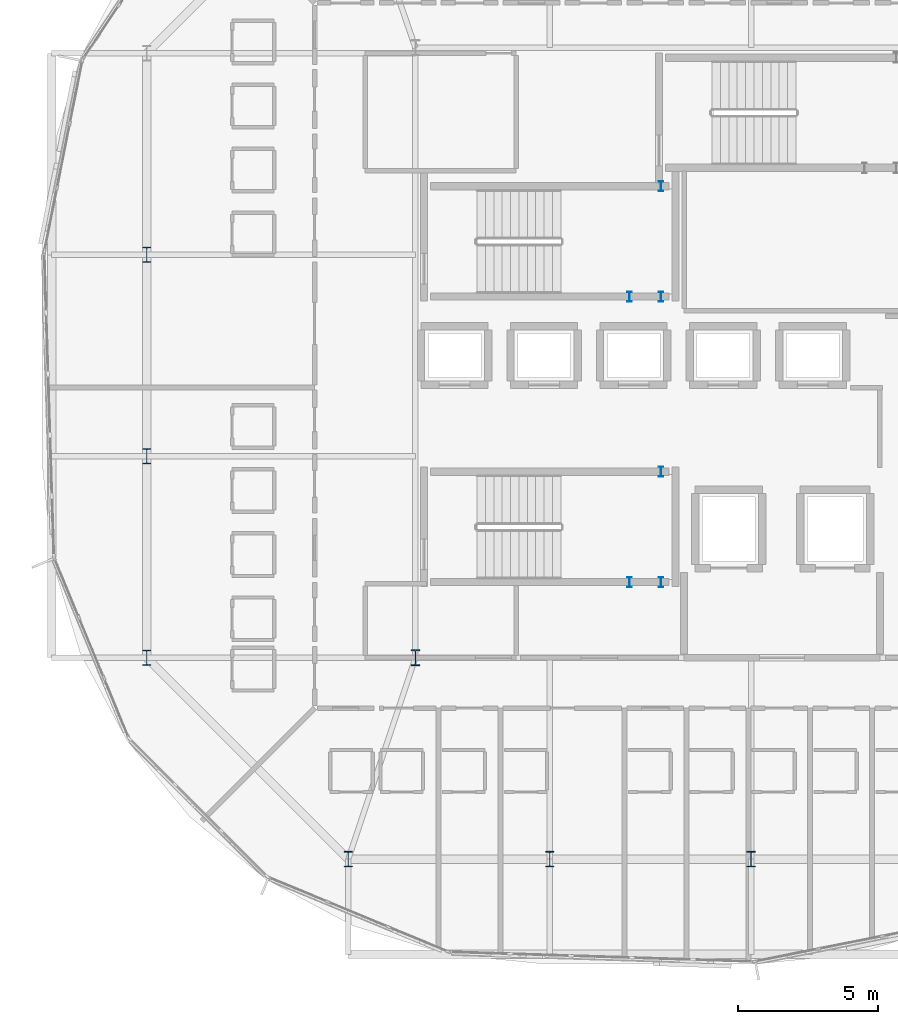
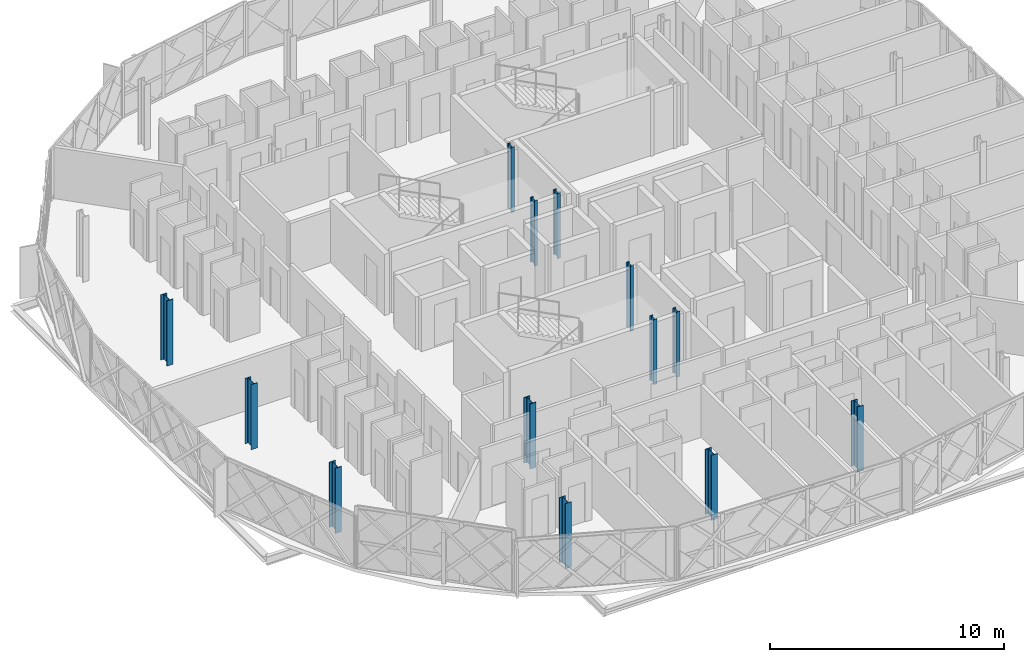
# One storey, part 1 of 50: 13 columns.
"""IFC4 building model written with IfcOpenShell, lengths in metres."""

import ifcopenshell
import ifcopenshell.guid

model = None  # the IFC model being written
_history = None  # IfcOwnerHistory: only IFC2X3 demands one
_inside = {}  # id of a spatial element -> (the spatial element, [elements in it])
_under = {}  # id of a project, library or spatial element -> (it, [spatial elements below it])
_declared = {}  # id of a project -> (the project, [libraries it declares])
_typed = {}  # id of a type object -> (the type object, [elements of that type])
_made_of = {}  # id of a material, layer set ... -> (it, [elements and type objects made of it])


def new_model(schema):
    """Start an empty IFC model of exactly this schema.

    Asked for "IFC4X3", IfcOpenShell would pick the latest addendum, in which some entities
    have other attributes; the version numbers below select the first issue.
    IFC2X3 requires an IfcOwnerHistory on every rooted entity: one is made here for all.
    """
    global model, _history
    if schema == "IFC4X3":
        model = ifcopenshell.file(schema_version=(4, 3, 0, 0))
    else:
        model = ifcopenshell.file(schema=schema)
    _inside.clear()
    _under.clear()
    _declared.clear()
    _typed.clear()
    _made_of.clear()
    _history = None
    if model.schema == "IFC2X3":
        org = make("IfcOrganization", Name="unknown")
        user = make(
            "IfcPersonAndOrganization",
            ThePerson=make("IfcPerson", FamilyName="unknown"),
            TheOrganization=org,
        )
        app = make(
            "IfcApplication",
            ApplicationDeveloper=org,
            Version="unknown",
            ApplicationFullName="unknown",
            ApplicationIdentifier="unknown",
        )
        _history = make(
            "IfcOwnerHistory",
            OwningUser=user,
            OwningApplication=app,
            ChangeAction="ADDED",
            CreationDate=0,
        )
    return model


def make(cls, **values):
    """One entity of the class cls with the attributes given. An attribute that is None is left unset."""
    return model.create_entity(
        cls, **{name: value for name, value in values.items() if value is not None}
    )


def rooted(cls, **values):
    """An entity with a GlobalId (a new one), such as an element, a storey or a relation."""
    return make(cls, GlobalId=ifcopenshell.guid.new(), OwnerHistory=_history, **values)


def si_unit(unit_type, name, prefix=None):
    """IfcSIUnit, for example si_unit("LENGTHUNIT", "METRE", prefix="MILLI")."""
    return make("IfcSIUnit", UnitType=unit_type, Prefix=prefix, Name=name)


def assignment(units):
    """IfcUnitAssignment: the units of a project."""
    return None if units is None else make("IfcUnitAssignment", Units=units)


def point(xyz):
    """IfcCartesianPoint."""
    return None if xyz is None else make("IfcCartesianPoint", Coordinates=xyz)


def direction(xyz):
    """IfcDirection."""
    return None if xyz is None else make("IfcDirection", DirectionRatios=xyz)


def frame(location, z_axis=None, x_axis=None):
    """IfcAxis2Placement3D, a coordinate frame: its origin and axes. An axis left out is left unset."""
    return make(
        "IfcAxis2Placement3D",
        Location=point(location),
        Axis=direction(z_axis),
        RefDirection=direction(x_axis),
    )


def frame_2d(location, x_axis=None):
    """IfcAxis2Placement2D, a coordinate frame in the plane: its origin and x axis."""
    return make(
        "IfcAxis2Placement2D", Location=point(location), RefDirection=direction(x_axis)
    )


def origin():
    """The frame at (0, 0, 0) with its axes left unset."""
    return frame((0.0, 0.0, 0.0))


def origin_2d():
    """The frame at (0, 0) in the plane with its x axis left unset."""
    return frame_2d((0.0, 0.0))


def place(relative_to, where):
    """IfcLocalPlacement: puts the frame where relative to a parent placement (None: the world)."""
    return make(
        "IfcLocalPlacement", PlacementRelTo=relative_to, RelativePlacement=where
    )


def context(
    kind, dimensions, precision=None, world=None, true_north=None, identifier=None
):
    """IfcGeometricRepresentationContext, for example the 3D "Model" context."""
    return make(
        "IfcGeometricRepresentationContext",
        ContextIdentifier=identifier,
        ContextType=kind,
        CoordinateSpaceDimension=dimensions,
        Precision=precision,
        WorldCoordinateSystem=world,
        TrueNorth=true_north,
    )


def subcontext(parent, identifier, kind, view, scale=None):
    """IfcGeometricRepresentationSubContext, for example "Body" below "Model"."""
    return make(
        "IfcGeometricRepresentationSubContext",
        ContextIdentifier=identifier,
        ContextType=kind,
        ParentContext=parent,
        TargetScale=scale,
        TargetView=view,
    )


def project(units=None, contexts=None):
    """IfcProject with its units and contexts."""
    return rooted(
        "IfcProject",
        Name="project",
        RepresentationContexts=contexts,
        UnitsInContext=assignment(units),
    )


def spatial(cls, under=None, at=None, **own):
    """A site, building, storey or space (cls), placed at a placement, below another one or the project."""
    s = rooted(cls, ObjectPlacement=at, **own)
    if under is not None:
        _under.setdefault(under.id(), (under, []))[1].append(s)
    return s


def profile(cls, at=None, kind="AREA", **sizes):
    """A parametric profile (cls). Its sizes go by their IFC names, for example OverallWidth=200.0."""
    return make(cls, ProfileType=kind, Position=at, **sizes)


def i_section(**sizes):
    """IfcIShapeProfileDef."""
    return profile("IfcIShapeProfileDef", **sizes)


def extrude(swept, where, along, depth):
    """IfcExtrudedAreaSolid: the profile swept, set in the frame where, extruded along a direction by depth."""
    return make(
        "IfcExtrudedAreaSolid",
        SweptArea=swept,
        Position=where,
        ExtrudedDirection=direction(along),
        Depth=depth,
    )


def shape(context_of_items, identifier, shape_type, items):
    """IfcShapeRepresentation: the items that make up one representation, for example the "Body"."""
    return make(
        "IfcShapeRepresentation",
        ContextOfItems=context_of_items,
        RepresentationIdentifier=identifier,
        RepresentationType=shape_type,
        Items=items,
    )


def material(Name=None, Category=None):
    """IfcMaterial."""
    return make("IfcMaterial", Name=Name, Category=Category)


def material_profile(
    of_material, cross_section, Name=None, Category=None, Priority=None
):
    """IfcMaterialProfile: a cross section and its material."""
    return make(
        "IfcMaterialProfile",
        Name=Name,
        Material=of_material,
        Profile=cross_section,
        Priority=Priority,
        Category=Category,
    )


def profile_set(profiles, Name=None, composite=None):
    """IfcMaterialProfileSet."""
    return make(
        "IfcMaterialProfileSet",
        Name=Name,
        MaterialProfiles=profiles,
        CompositeProfile=composite,
    )


def made_of(thing, what):
    """Note that an element or type object is made of a material, layer set ...; save() writes the relation."""
    if what is not None:
        _made_of.setdefault(what.id(), (what, []))[1].append(thing)
    return thing


def type_object(cls, material=None, **own):
    """A type object (cls), such as IfcWallType, which elements share."""
    return made_of(rooted(cls, **own), material)


def element(
    cls,
    number,
    at=None,
    inside=None,
    cuts=None,
    type_object=None,
    material=None,
    context=None,
    identifier="Body",
    shape_type=None,
    held_by="IfcProductDefinitionShape",
    body=None,
    shapes=None,
    **own,
):
    """One element of the class cls, such as IfcWall. Its Tag is "e" and its number.

    at: its placement. inside: the storey or other place that contains it. cuts: it is an
    opening in that element (IfcRelVoidsElement). A single representation is given by context,
    identifier, shape_type and body (its items); several are given by shapes. held_by: the class
    of the entity that holds the representations. save() writes the other relations.
    """
    e = rooted(cls, Tag="e%d" % number, ObjectPlacement=at, **own)
    if body is not None:
        shapes = [shape(context, identifier, shape_type, body)]
    if shapes is not None:
        e.Representation = make(held_by, Representations=shapes)
    if inside is not None:
        _inside.setdefault(inside.id(), (inside, []))[1].append(e)
    if cuts is not None:
        rooted(
            "IfcRelVoidsElement", RelatingBuildingElement=cuts, RelatedOpeningElement=e
        )
    if type_object is not None:
        _typed.setdefault(type_object.id(), (type_object, []))[1].append(e)
    return made_of(e, material)


def aggregate(whole, parts):
    """IfcRelAggregates: a whole, such as a stair, and the parts it consists of."""
    return rooted("IfcRelAggregates", RelatingObject=whole, RelatedObjects=parts)


def save(model, path):
    """Write the relations noted so far, then the file.

    IfcRelAggregates (storeys below a building ...), IfcRelContainedInSpatialStructure (elements
    in a storey), IfcRelDefinesByType, IfcRelAssociatesMaterial and IfcRelDeclares: one each for
    every whole, place, type object, material and project.
    """
    for whole, parts in _under.values():
        aggregate(whole, parts)
    for where, things in _inside.values():
        rooted(
            "IfcRelContainedInSpatialStructure",
            RelatedElements=things,
            RelatingStructure=where,
        )
    for kind, things in _typed.values():
        rooted("IfcRelDefinesByType", RelatedObjects=things, RelatingType=kind)
    for what, things in _made_of.values():
        rooted("IfcRelAssociatesMaterial", RelatedObjects=things, RelatingMaterial=what)
    for by, libraries in _declared.values():
        rooted("IfcRelDeclares", RelatingContext=by, RelatedDefinitions=libraries)
    model.write(path)


model = new_model("IFC4")

# Units and contexts
model_context = context("Model", 3, precision=1e-05, world=origin(), true_north=direction((0.0, 1.0)))
body_context = subcontext(model_context, "Body", "Model", "MODEL_VIEW")
ifc_project = project(units=[si_unit("LENGTHUNIT", "METRE"), si_unit("AREAUNIT", "SQUARE_METRE"), si_unit("VOLUMEUNIT", "CUBIC_METRE"), si_unit("PLANEANGLEUNIT", "RADIAN"), si_unit("MASSUNIT", "GRAM", prefix="KILO")], contexts=[model_context])

# Site, building, storey
site_placement = place(None, origin())
site = spatial("IfcSite", under=ifc_project, at=site_placement, CompositionType="ELEMENT")
building_placement = place(site_placement, origin())
building = spatial("IfcBuilding", under=site, at=building_placement, Name="Zevrakil Square Congress Hotel", CompositionType="ELEMENT")
storey_placement = place(building_placement, frame((0.0, 0.0, 21.5)))
storey = spatial("IfcBuildingStorey", under=building, at=storey_placement, Name="L06", CompositionType="ELEMENT", Elevation=21.5)

# Columns
ifc_material_1 = material(Name="Steel S355", Category="steel")
ifc_material_profile_1 = material_profile(ifc_material_1, i_section(OverallWidth=0.300048828125, OverallDepth=0.550048828125, WebThickness=0.014892578125, FlangeThickness=0.029052734375, FilletRadius=0.027099609375, at=origin_2d()), Name="HEB 550")
ifc_profile_set_1 = profile_set([ifc_material_profile_1], Name="Steel S355")
column_type_1 = type_object("IfcColumnType", Name="COL-HEB550", PredefinedType="COLUMN", material=ifc_profile_set_1)
for number, where, z_axis, x_axis, name in (
    (1, (134.39990234375, 9.60009765625, 0.0), (0.0, 0.0, 1.0), (1.0, 0.0, 0.0), "L06 drum column DC01"),
    (2, (141.60009765625, 9.60009765625, 0.0), (0.0, 0.0, 1.0), (1.0, 0.0, 0.0), "L06 drum column DC02"),
    (3, (148.800048828125, 9.60009765625, 0.0), (0.0, 0.0, 1.0), (1.0, 0.0, 0.0), "L06 drum column DC03"),
    (4, (127.199951171875, 31.199951171875, 0.0), (0.0, 0.0, 1.0), (1.0, 0.0, 0.0), "L06 drum column DC14"),
    (5, (127.199951171875, 24.0, 0.0), (0.0, 0.0, 1.0), (1.0, 0.0, 0.0), "L06 drum column DC15"),
    (6, (127.199951171875, 16.800048828125, 0.0), (0.0, 0.0, 1.0), (1.0, 0.0, 0.0), "L06 drum column DC16"),
):
    element("IfcColumn", number, at=place(storey_placement, frame(where, z_axis=z_axis, x_axis=x_axis)), inside=storey, type_object=column_type_1, Name=name, PredefinedType="COLUMN", context=body_context, shape_type="SweptSolid", body=[
        extrude(i_section(OverallWidth=0.300048828125, OverallDepth=0.550048828125, WebThickness=0.014892578125, FlangeThickness=0.029052734375, FilletRadius=0.027099609375, at=origin_2d()), origin(), (0.0, 0.0, 1.0), 3.39990234375),
    ])
ifc_material_2 = material(Name="Steel S355", Category="steel")
ifc_material_profile_2 = material_profile(ifc_material_2, i_section(OverallWidth=0.305908203125, OverallDepth=0.572021484375, WebThickness=0.02099609375, FlangeThickness=0.0400390625, FilletRadius=0.027099609375, at=origin_2d()), Name="HEM 550")
ifc_profile_set_2 = profile_set([ifc_material_profile_2], Name="Steel S355")
column_type_2 = type_object("IfcColumnType", Name="COL-HEM550", PredefinedType="COLUMN", material=ifc_profile_set_2)
column_placement = place(storey_placement, frame((136.800048828125, 16.800048828125, 0.0), z_axis=(0.0, 0.0, 1.0), x_axis=(1.0, 0.0, 0.0)))
element("IfcColumn", 7, at=column_placement, inside=storey, type_object=column_type_2, Name="L06 column C-206", PredefinedType="COLUMN", context=body_context, shape_type="SweptSolid", body=[
    extrude(i_section(OverallWidth=0.305908203125, OverallDepth=0.572021484375, WebThickness=0.02099609375, FlangeThickness=0.0400390625, FilletRadius=0.027099609375, at=origin_2d()), origin(), (0.0, 0.0, 1.0), 3.39990234375),
])
ifc_material_3 = material(Name="Steel S355", Category="steel")
ifc_material_profile_3 = material_profile(ifc_material_3, i_section(OverallWidth=0.169921875, OverallDepth=0.360107421875, WebThickness=0.008056640625, FlangeThickness=0.0126953125, FilletRadius=0.01806640625, at=origin_2d()), Name="IPE 360")
ifc_profile_set_3 = profile_set([ifc_material_profile_3], Name="Steel S355")
column_type_3 = type_object("IfcColumnType", Name="COL-PILASTER-SHS180", PredefinedType="PILASTER", material=ifc_profile_set_3)
for number, where, z_axis, x_axis, name in (
    (8, (144.449951171875, 19.5, 0.0), (0.0, 0.0, 1.0), (1.0, 0.0, 0.0), "L06 ST01 stair shaft post 1"),
    (9, (145.580078125, 19.5, 0.0), (0.0, 0.0, 1.0), (1.0, 0.0, 0.0), "L06 ST01 stair shaft post 2"),
    (10, (145.580078125, 23.449951171875, 0.0), (0.0, 0.0, 1.0), (1.0, 0.0, 0.0), "L06 ST01 stair shaft post 3"),
    (11, (144.449951171875, 29.699951171875, 0.0), (0.0, 0.0, 1.0), (1.0, 0.0, 0.0), "L06 ST02 stair shaft post 1"),
    (12, (145.580078125, 29.699951171875, 0.0), (0.0, 0.0, 1.0), (1.0, 0.0, 0.0), "L06 ST02 stair shaft post 2"),
    (13, (145.580078125, 33.64990234375, 0.0), (0.0, 0.0, 1.0), (1.0, 0.0, 0.0), "L06 ST02 stair shaft post 3"),
):
    element("IfcColumn", number, at=place(storey_placement, frame(where, z_axis=z_axis, x_axis=x_axis)), inside=storey, type_object=column_type_3, Name=name, PredefinedType="PILASTER", context=body_context, shape_type="SweptSolid", body=[
        extrude(i_section(OverallWidth=0.169921875, OverallDepth=0.360107421875, WebThickness=0.008056640625, FlangeThickness=0.0126953125, FilletRadius=0.01806640625, at=origin_2d()), origin(), (0.0, 0.0, 1.0), 3.39990234375),
    ])

save(model, "model.ifc")
